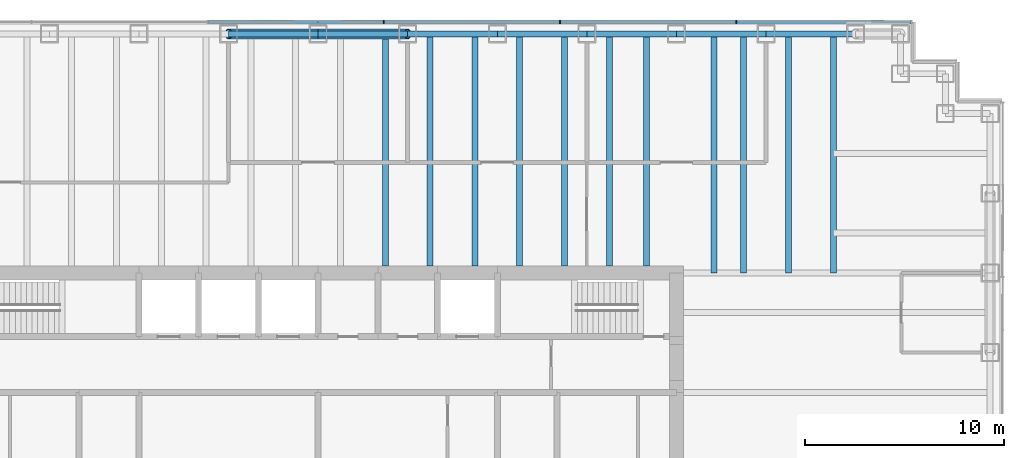
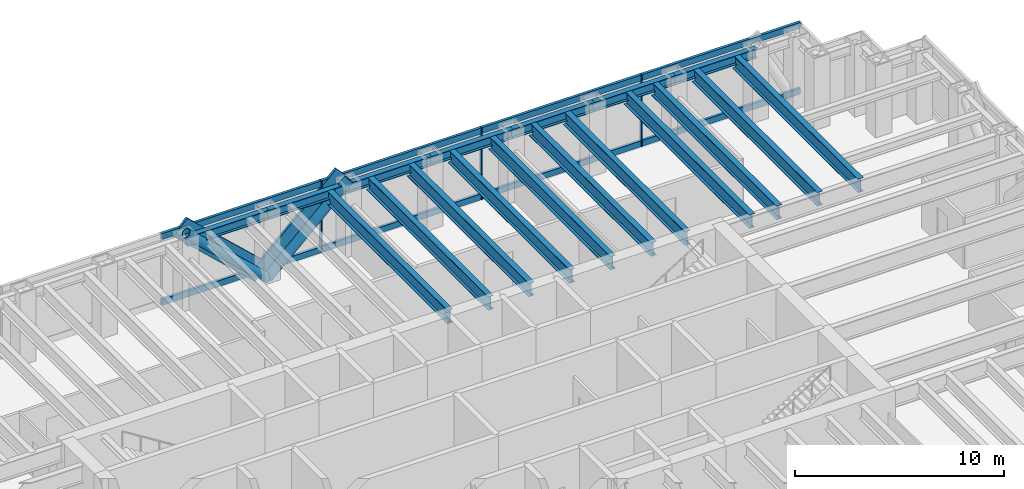
# One storey, part 7 of 17: 18 beams, 15 members, 1 element without a shape of its own.
"""IFC4 building model written with IfcOpenShell, lengths in metres."""

from ifc_helpers import new_model, si_unit, direction, frame, origin, origin_2d, place, context, subcontext, project, spatial, rectangle, hollow_circle, i_section, extrude, material, material_profile, profile_set, type_object, element, aggregate, save


model = new_model("IFC4")

# Units and contexts
model_context = context("Model", 3, precision=1e-05, world=origin(), true_north=direction((0.0, 1.0)))
body_context = subcontext(model_context, "Body", "Model", "MODEL_VIEW")
ifc_project = project(units=[si_unit("LENGTHUNIT", "METRE"), si_unit("AREAUNIT", "SQUARE_METRE"), si_unit("VOLUMEUNIT", "CUBIC_METRE"), si_unit("PLANEANGLEUNIT", "RADIAN"), si_unit("MASSUNIT", "GRAM", prefix="KILO")], contexts=[model_context])

# Site, building, storey
site_placement = place(None, origin())
site = spatial("IfcSite", under=ifc_project, at=site_placement, CompositionType="ELEMENT")
building_placement = place(site_placement, origin())
building = spatial("IfcBuilding", under=site, at=building_placement, Name="Rheinbord Bourse Tower", CompositionType="ELEMENT")
storey_placement = place(building_placement, frame((0.0, 0.0, 304.699951171875)))
storey = spatial("IfcBuildingStorey", under=building, at=storey_placement, Name="L69", CompositionType="ELEMENT", Elevation=304.699951171875)

# Curtain wall, members
ifc_material_1 = material(Name="Dark glass and black aluminium", Category="aluminium")
curtain_wall_type = type_object("IfcCurtainWallType", Name="CW3 DARK GLASS CURTAIN WALL", PredefinedType="USERDEFINED", material=ifc_material_1)
curtain_wall_placement = place(storey_placement, origin())
curtain_wall = element("IfcCurtainWall", 1, at=curtain_wall_placement, inside=storey, type_object=curtain_wall_type, Name="Curtain wall CW3 N L69", ObjectType="UNITISED CURTAIN WALL", PredefinedType="USERDEFINED")
ifc_material_2 = material(Name="Black anodised aluminium", Category="aluminium")
ifc_material_profile_1 = material_profile(ifc_material_2, rectangle(XDim=0.14990234375, YDim=1.10791015625, at=origin_2d()), Name="CW3 DIAGONAL MULLION 1108x150")
ifc_profile_set_1 = profile_set([ifc_material_profile_1], Name="Black anodised aluminium")
member_type_1 = type_object("IfcMemberType", Name="CW3 BLACK DIAGONAL MULLION", PredefinedType="USERDEFINED", material=ifc_profile_set_1)
member_1_placement = place(storey_placement, frame((36.0, 44.60009765625, 0.0), z_axis=(-0.73105922506, 0.0, 0.682314010889), x_axis=(0.0, -1.0, 0.0)))
member_1 = element("IfcMember", 2, at=member_1_placement, type_object=member_type_1, Name="CW3 diagonal mullion c", ObjectType="DIAGONAL MULLION", PredefinedType="USERDEFINED", context=body_context, shape_type="SweptSolid", body=[
    extrude(rectangle(XDim=0.14990234375, YDim=1.10791015625, at=origin_2d()), origin(), (0.0, 0.0, 1.0), 6.155517578125),
])
member_2_placement = place(storey_placement, frame((36.0, 44.60009765625, 0.0), z_axis=(0.73105922506, 0.0, 0.682314010889), x_axis=(0.0, 1.0, 0.0)))
member_2 = element("IfcMember", 3, at=member_2_placement, type_object=member_type_1, Name="CW3 diagonal mullion d", ObjectType="DIAGONAL MULLION", PredefinedType="USERDEFINED", context=body_context, shape_type="SweptSolid", body=[
    extrude(rectangle(XDim=0.14990234375, YDim=1.10791015625, at=origin_2d()), origin(), (0.0, 0.0, 1.0), 6.155517578125),
])
ifc_material_3 = material(Name="Black anodised aluminium", Category="aluminium")
ifc_material_profile_2 = material_profile(ifc_material_3, rectangle(XDim=0.199951171875, YDim=0.06494140625, at=origin_2d()), Name="CW3 MULLION 65x200")
ifc_profile_set_2 = profile_set([ifc_material_profile_2], Name="Black anodised aluminium")
member_type_2 = type_object("IfcMemberType", Name="CW3 BLACK MULLION", PredefinedType="MULLION", material=ifc_profile_set_2)
member_3_placement = place(storey_placement, frame((57.0, 44.60009765625, 0.0), z_axis=(0.0, 0.0, 1.0), x_axis=(0.0, -1.0, 0.0)))
member_3 = element("IfcMember", 4, at=member_3_placement, type_object=member_type_2, Name="CW3 mullion 2", PredefinedType="MULLION", context=body_context, shape_type="SweptSolid", body=[
    extrude(rectangle(XDim=0.199951171875, YDim=0.06494140625, at=origin_2d()), origin(), (0.0, 0.0, 1.0), 4.199951171875),
])
member_4_placement = place(storey_placement, frame((48.14990234375, 44.60009765625, 0.0), z_axis=(0.0, 0.0, 1.0), x_axis=(0.0, -1.0, 0.0)))
member_4 = element("IfcMember", 5, at=member_4_placement, type_object=member_type_2, Name="CW3 mullion 3", PredefinedType="MULLION", context=body_context, shape_type="SweptSolid", body=[
    extrude(rectangle(XDim=0.199951171875, YDim=0.06494140625, at=origin_2d()), origin(), (0.0, 0.0, 1.0), 4.199951171875),
])
member_5_placement = place(storey_placement, frame((39.300048828125, 44.60009765625, 0.0), z_axis=(0.0, 0.0, 1.0), x_axis=(0.0, -1.0, 0.0)))
member_5 = element("IfcMember", 6, at=member_5_placement, type_object=member_type_2, Name="CW3 mullion 4", PredefinedType="MULLION", context=body_context, shape_type="SweptSolid", body=[
    extrude(rectangle(XDim=0.199951171875, YDim=0.06494140625, at=origin_2d()), origin(), (0.0, 0.0, 1.0), 4.199951171875),
])
ifc_material_4 = material(Name="Black anodised aluminium", Category="aluminium")
ifc_material_profile_3 = material_profile(ifc_material_4, rectangle(XDim=0.14990234375, YDim=0.35009765625, at=origin_2d()), Name="CW3 TRANSOM 350x150")
ifc_profile_set_3 = profile_set([ifc_material_profile_3], Name="Black anodised aluminium")
member_type_3 = type_object("IfcMemberType", Name="CW3 BLACK TRANSOM", PredefinedType="USERDEFINED", material=ifc_profile_set_3)
member_6_placement = place(storey_placement, frame((65.784912109375, 44.60009765625, 0.175048828125), z_axis=(-1.0, 0.0, 0.0), x_axis=(0.0, -1.0, 0.0)))
member_6 = element("IfcMember", 7, at=member_6_placement, type_object=member_type_3, Name="CW3 transom 1.1", ObjectType="TRANSOM", PredefinedType="USERDEFINED", context=body_context, shape_type="SweptSolid", body=[
    extrude(rectangle(XDim=0.14990234375, YDim=0.35009765625, at=origin_2d()), origin(), (0.0, 0.0, 1.0), 8.75244140625),
])
member_7_placement = place(storey_placement, frame((65.784912109375, 44.60009765625, 4.025146484375), z_axis=(-1.0, 0.0, 0.0), x_axis=(0.0, -1.0, 0.0)))
member_7 = element("IfcMember", 8, at=member_7_placement, type_object=member_type_3, Name="CW3 transom 1.2", ObjectType="TRANSOM", PredefinedType="USERDEFINED", context=body_context, shape_type="SweptSolid", body=[
    extrude(rectangle(XDim=0.14990234375, YDim=0.35009765625, at=origin_2d()), origin(), (0.0, 0.0, 1.0), 8.75244140625),
])
member_8_placement = place(storey_placement, frame((56.967529296875, 44.60009765625, 0.175048828125), z_axis=(-1.0, 0.0, 0.0), x_axis=(0.0, -1.0, 0.0)))
member_8 = element("IfcMember", 9, at=member_8_placement, type_object=member_type_3, Name="CW3 transom 2.1", ObjectType="TRANSOM", PredefinedType="USERDEFINED", context=body_context, shape_type="SweptSolid", body=[
    extrude(rectangle(XDim=0.14990234375, YDim=0.35009765625, at=origin_2d()), origin(), (0.0, 0.0, 1.0), 8.784912109375),
])
member_9_placement = place(storey_placement, frame((56.967529296875, 44.60009765625, 4.025146484375), z_axis=(-1.0, 0.0, 0.0), x_axis=(0.0, -1.0, 0.0)))
member_9 = element("IfcMember", 10, at=member_9_placement, type_object=member_type_3, Name="CW3 transom 2.2", ObjectType="TRANSOM", PredefinedType="USERDEFINED", context=body_context, shape_type="SweptSolid", body=[
    extrude(rectangle(XDim=0.14990234375, YDim=0.35009765625, at=origin_2d()), origin(), (0.0, 0.0, 1.0), 8.784912109375),
])
member_10_placement = place(storey_placement, frame((48.117431640625, 44.60009765625, 0.175048828125), z_axis=(-1.0, 0.0, 0.0), x_axis=(0.0, -1.0, 0.0)))
member_10 = element("IfcMember", 11, at=member_10_placement, type_object=member_type_3, Name="CW3 transom 3.1", ObjectType="TRANSOM", PredefinedType="USERDEFINED", context=body_context, shape_type="SweptSolid", body=[
    extrude(rectangle(XDim=0.14990234375, YDim=0.35009765625, at=origin_2d()), origin(), (0.0, 0.0, 1.0), 8.784912109375),
])
member_11_placement = place(storey_placement, frame((48.117431640625, 44.60009765625, 4.025146484375), z_axis=(-1.0, 0.0, 0.0), x_axis=(0.0, -1.0, 0.0)))
member_11 = element("IfcMember", 12, at=member_11_placement, type_object=member_type_3, Name="CW3 transom 3.2", ObjectType="TRANSOM", PredefinedType="USERDEFINED", context=body_context, shape_type="SweptSolid", body=[
    extrude(rectangle(XDim=0.14990234375, YDim=0.35009765625, at=origin_2d()), origin(), (0.0, 0.0, 1.0), 8.784912109375),
])
member_12_placement = place(storey_placement, frame((39.267578125, 44.60009765625, 0.175048828125), z_axis=(-1.0, 0.0, 0.0), x_axis=(0.0, -1.0, 0.0)))
member_12 = element("IfcMember", 13, at=member_12_placement, type_object=member_type_3, Name="CW3 transom 4.1", ObjectType="TRANSOM", PredefinedType="USERDEFINED", context=body_context, shape_type="SweptSolid", body=[
    extrude(rectangle(XDim=0.14990234375, YDim=0.35009765625, at=origin_2d()), origin(), (0.0, 0.0, 1.0), 8.78515625),
])
member_13_placement = place(storey_placement, frame((39.267578125, 44.60009765625, 4.025146484375), z_axis=(-1.0, 0.0, 0.0), x_axis=(0.0, -1.0, 0.0)))
member_13 = element("IfcMember", 14, at=member_13_placement, type_object=member_type_3, Name="CW3 transom 4.2", ObjectType="TRANSOM", PredefinedType="USERDEFINED", context=body_context, shape_type="SweptSolid", body=[
    extrude(rectangle(XDim=0.14990234375, YDim=0.35009765625, at=origin_2d()), origin(), (0.0, 0.0, 1.0), 8.78515625),
])
aggregate(curtain_wall, [member_3, member_4, member_5, member_6, member_7, member_8, member_9, member_10, member_11, member_12, member_13, member_1, member_2])

# Beams
ifc_material_5 = material(Name="Steel S460", Category="steel")
ifc_material_profile_4 = material_profile(ifc_material_5, i_section(OverallWidth=0.300048828125, OverallDepth=0.800048828125, WebThickness=0.017578125, FlangeThickness=0.032958984375, at=origin_2d()), Name="HEB 800")
ifc_profile_set_4 = profile_set([ifc_material_profile_4], Name="Steel S460")
beam_type_1 = type_object("IfcBeamType", Name="FLOOR BEAM HEB 800", PredefinedType="BEAM", material=ifc_profile_set_4)
for number, where, z_axis, x_axis, name in (
    (15, (39.375, 44.0, 3.64013671875), (0.0, -1.0, 0.0), (1.0, 0.0, 0.0), "Floor beam N-36b L70"),
    (16, (41.625, 44.0, 3.64013671875), (0.0, -1.0, 0.0), (1.0, 0.0, 0.0), "Floor beam N-40.5a L70"),
    (17, (43.875, 44.0, 3.64013671875), (0.0, -1.0, 0.0), (1.0, 0.0, 0.0), "Floor beam N-40.5b L70"),
    (18, (46.125, 44.0, 3.64013671875), (0.0, -1.0, 0.0), (1.0, 0.0, 0.0), "Floor beam N-45a L70"),
    (19, (48.375, 44.0, 3.64013671875), (0.0, -1.0, 0.0), (1.0, 0.0, 0.0), "Floor beam N-45b L70"),
    (20, (50.625, 44.0, 3.64013671875), (0.0, -1.0, 0.0), (1.0, 0.0, 0.0), "Floor beam N-49.5a L70"),
    (21, (52.5, 44.0, 3.64013671875), (0.0, -1.0, 0.0), (1.0, 0.0, 0.0), "Floor beam N-49.5b L70"),
):
    element("IfcBeam", number, at=place(storey_placement, frame(where, z_axis=z_axis, x_axis=x_axis)), inside=storey, type_object=beam_type_1, Name=name, PredefinedType="BEAM", context=body_context, shape_type="SweptSolid", body=[
        extrude(i_section(OverallWidth=0.300048828125, OverallDepth=0.800048828125, WebThickness=0.017578125, FlangeThickness=0.032958984375, at=origin_2d()), origin(), (0.0, 0.0, 1.0), 11.64990234375),
    ])
for number, where, z_axis, x_axis, name in (
    (22, (55.875, 44.0, 3.64013671875), (0.0, -1.0, 0.0), (1.0, 0.0, 0.0), "Floor beam N-54a L70"),
    (23, (57.375, 44.0, 3.64013671875), (0.0, -1.0, 0.0), (1.0, 0.0, 0.0), "Floor beam N-54b L70"),
    (24, (59.625, 44.0, 3.64013671875), (0.0, -1.0, 0.0), (1.0, 0.0, 0.0), "Floor beam N-58.5a L70"),
    (25, (61.875, 44.0, 3.64013671875), (0.0, -1.0, 0.0), (1.0, 0.0, 0.0), "Floor beam N-58.5b L70"),
):
    element("IfcBeam", number, at=place(storey_placement, frame(where, z_axis=z_axis, x_axis=x_axis)), inside=storey, type_object=beam_type_1, Name=name, PredefinedType="BEAM", context=body_context, shape_type="SweptSolid", body=[
        extrude(i_section(OverallWidth=0.300048828125, OverallDepth=0.800048828125, WebThickness=0.017578125, FlangeThickness=0.032958984375, at=origin_2d()), origin(), (0.0, 0.0, 1.0), 12.0),
    ])

# Members
ifc_material_6 = material(Name="Steel S460", Category="steel")
ifc_material_profile_5 = material_profile(ifc_material_6, hollow_circle(Radius=0.25390625, WallThickness=0.030029296875, at=origin_2d()), Name="CHS 508x30")
ifc_profile_set_5 = profile_set([ifc_material_profile_5], Name="Steel S460")
member_type_4 = type_object("IfcMemberType", Name="MEGABRACE CHS 508x30", PredefinedType="BRACE", material=ifc_profile_set_5)
for number, where, z_axis, x_axis, name in (
    (26, (36.0, 44.0, 0.0), (-0.73105922506, 0.0, 0.682314010889), (0.0, -1.0, 0.0), "Megabrace N face line c L69"),
    (27, (36.0, 44.0, 0.0), (0.73105922506, 0.0, 0.682314010889), (0.0, 1.0, 0.0), "Megabrace N face line d L69"),
):
    element("IfcMember", number, at=place(storey_placement, frame(where, z_axis=z_axis, x_axis=x_axis)), inside=storey, type_object=member_type_4, Name=name, PredefinedType="BRACE", context=body_context, shape_type="SweptSolid", body=[
        extrude(hollow_circle(Radius=0.25390625, WallThickness=0.030029296875, at=origin_2d()), origin(), (0.0, 0.0, 1.0), 6.155517578125),
    ])

# Beams
ifc_material_7 = material(Name="Steel S460", Category="steel")
ifc_material_profile_6 = material_profile(ifc_material_7, i_section(OverallWidth=0.300048828125, OverallDepth=0.550048828125, WebThickness=0.014892578125, FlangeThickness=0.029052734375, at=origin_2d()), Name="HEB 550")
ifc_profile_set_6 = profile_set([ifc_material_profile_6], Name="Steel S460")
beam_type_2 = type_object("IfcBeamType", Name="SPANDREL HEB 550", PredefinedType="SPANDREL", material=ifc_profile_set_6)
for number, where, z_axis, x_axis, name in (
    (28, (63.0, 44.0, 3.76513671875), (-1.0, 0.0, 0.0), (0.0, -1.0, 0.0), "Spandrel N-63-N-58.5 under L70"),
    (29, (58.5, 44.0, 3.76513671875), (-1.0, 0.0, 0.0), (0.0, -1.0, 0.0), "Spandrel N-58.5-N-54 under L70"),
    (30, (54.0, 44.0, 3.76513671875), (-1.0, 0.0, 0.0), (0.0, -1.0, 0.0), "Spandrel N-54-N-49.5 under L70"),
    (31, (49.5, 44.0, 3.76513671875), (-1.0, 0.0, 0.0), (0.0, -1.0, 0.0), "Spandrel N-49.5-N-45 under L70"),
    (32, (45.0, 44.0, 3.76513671875), (-1.0, 0.0, 0.0), (0.0, -1.0, 0.0), "Spandrel N-45-N-40.5 under L70"),
    (33, (40.5, 44.0, 3.76513671875), (-1.0, 0.0, 0.0), (0.0, -1.0, 0.0), "Spandrel N-40.5-N-36 under L70"),
    (34, (36.0, 44.0, 3.76513671875), (-1.0, 0.0, 0.0), (0.0, -1.0, 0.0), "Spandrel N-36-N-31.5 under L70"),
):
    element("IfcBeam", number, at=place(storey_placement, frame(where, z_axis=z_axis, x_axis=x_axis)), inside=storey, type_object=beam_type_2, Name=name, PredefinedType="SPANDREL", context=body_context, shape_type="SweptSolid", body=[
        extrude(i_section(OverallWidth=0.300048828125, OverallDepth=0.550048828125, WebThickness=0.014892578125, FlangeThickness=0.029052734375, at=origin_2d()), origin(), (0.0, 0.0, 1.0), 4.5),
    ])

save(model, "model.ifc")
